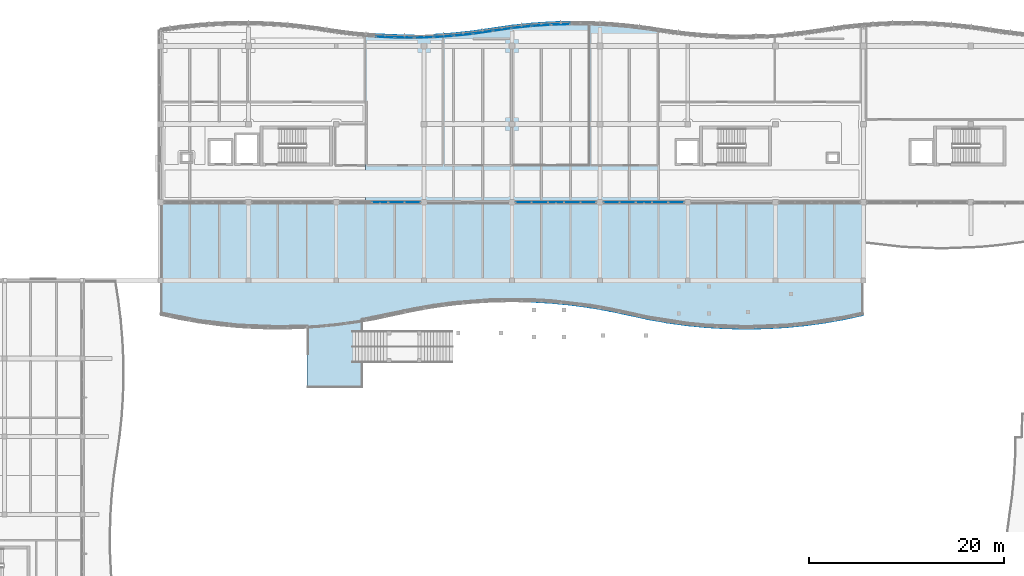
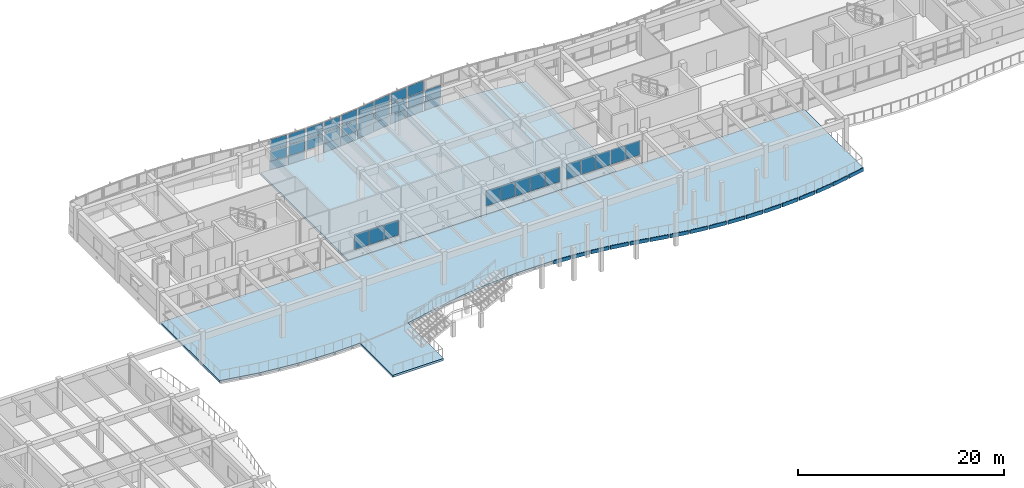
# One storey, part 49 of 89: 58 plates, 2 slabs, 13 elements without a shape of their own.
"""IFC4 building model written with IfcOpenShell, lengths in metres."""

import ifcopenshell
import ifcopenshell.guid

model = None  # the IFC model being written
_history = None  # IfcOwnerHistory: only IFC2X3 demands one
_inside = {}  # id of a spatial element -> (the spatial element, [elements in it])
_under = {}  # id of a project, library or spatial element -> (it, [spatial elements below it])
_declared = {}  # id of a project -> (the project, [libraries it declares])
_typed = {}  # id of a type object -> (the type object, [elements of that type])
_made_of = {}  # id of a material, layer set ... -> (it, [elements and type objects made of it])


def new_model(schema):
    """Start an empty IFC model of exactly this schema.

    Asked for "IFC4X3", IfcOpenShell would pick the latest addendum, in which some entities
    have other attributes; the version numbers below select the first issue.
    IFC2X3 requires an IfcOwnerHistory on every rooted entity: one is made here for all.
    """
    global model, _history
    if schema == "IFC4X3":
        model = ifcopenshell.file(schema_version=(4, 3, 0, 0))
    else:
        model = ifcopenshell.file(schema=schema)
    _inside.clear()
    _under.clear()
    _declared.clear()
    _typed.clear()
    _made_of.clear()
    _history = None
    if model.schema == "IFC2X3":
        org = make("IfcOrganization", Name="unknown")
        user = make(
            "IfcPersonAndOrganization",
            ThePerson=make("IfcPerson", FamilyName="unknown"),
            TheOrganization=org,
        )
        app = make(
            "IfcApplication",
            ApplicationDeveloper=org,
            Version="unknown",
            ApplicationFullName="unknown",
            ApplicationIdentifier="unknown",
        )
        _history = make(
            "IfcOwnerHistory",
            OwningUser=user,
            OwningApplication=app,
            ChangeAction="ADDED",
            CreationDate=0,
        )
    return model


def make(cls, **values):
    """One entity of the class cls with the attributes given. An attribute that is None is left unset."""
    return model.create_entity(
        cls, **{name: value for name, value in values.items() if value is not None}
    )


def rooted(cls, **values):
    """An entity with a GlobalId (a new one), such as an element, a storey or a relation."""
    return make(cls, GlobalId=ifcopenshell.guid.new(), OwnerHistory=_history, **values)


def si_unit(unit_type, name, prefix=None):
    """IfcSIUnit, for example si_unit("LENGTHUNIT", "METRE", prefix="MILLI")."""
    return make("IfcSIUnit", UnitType=unit_type, Prefix=prefix, Name=name)


def assignment(units):
    """IfcUnitAssignment: the units of a project."""
    return None if units is None else make("IfcUnitAssignment", Units=units)


def point(xyz):
    """IfcCartesianPoint."""
    return None if xyz is None else make("IfcCartesianPoint", Coordinates=xyz)


def direction(xyz):
    """IfcDirection."""
    return None if xyz is None else make("IfcDirection", DirectionRatios=xyz)


def frame(location, z_axis=None, x_axis=None):
    """IfcAxis2Placement3D, a coordinate frame: its origin and axes. An axis left out is left unset."""
    return make(
        "IfcAxis2Placement3D",
        Location=point(location),
        Axis=direction(z_axis),
        RefDirection=direction(x_axis),
    )


def frame_2d(location, x_axis=None):
    """IfcAxis2Placement2D, a coordinate frame in the plane: its origin and x axis."""
    return make(
        "IfcAxis2Placement2D", Location=point(location), RefDirection=direction(x_axis)
    )


def origin():
    """The frame at (0, 0, 0) with its axes left unset."""
    return frame((0.0, 0.0, 0.0))


def origin_2d():
    """The frame at (0, 0) in the plane with its x axis left unset."""
    return frame_2d((0.0, 0.0))


def place(relative_to, where):
    """IfcLocalPlacement: puts the frame where relative to a parent placement (None: the world)."""
    return make(
        "IfcLocalPlacement", PlacementRelTo=relative_to, RelativePlacement=where
    )


def context(
    kind, dimensions, precision=None, world=None, true_north=None, identifier=None
):
    """IfcGeometricRepresentationContext, for example the 3D "Model" context."""
    return make(
        "IfcGeometricRepresentationContext",
        ContextIdentifier=identifier,
        ContextType=kind,
        CoordinateSpaceDimension=dimensions,
        Precision=precision,
        WorldCoordinateSystem=world,
        TrueNorth=true_north,
    )


def subcontext(parent, identifier, kind, view, scale=None):
    """IfcGeometricRepresentationSubContext, for example "Body" below "Model"."""
    return make(
        "IfcGeometricRepresentationSubContext",
        ContextIdentifier=identifier,
        ContextType=kind,
        ParentContext=parent,
        TargetScale=scale,
        TargetView=view,
    )


def project(units=None, contexts=None):
    """IfcProject with its units and contexts."""
    return rooted(
        "IfcProject",
        Name="project",
        RepresentationContexts=contexts,
        UnitsInContext=assignment(units),
    )


def spatial(cls, under=None, at=None, **own):
    """A site, building, storey or space (cls), placed at a placement, below another one or the project."""
    s = rooted(cls, ObjectPlacement=at, **own)
    if under is not None:
        _under.setdefault(under.id(), (under, []))[1].append(s)
    return s


def polyline(points):
    """IfcPolyline through the points."""
    return make("IfcPolyline", Points=[point(p) for p in points])


def profile(cls, at=None, kind="AREA", **sizes):
    """A parametric profile (cls). Its sizes go by their IFC names, for example OverallWidth=200.0."""
    return make(cls, ProfileType=kind, Position=at, **sizes)


def rectangle(**sizes):
    """IfcRectangleProfileDef."""
    return profile("IfcRectangleProfileDef", **sizes)


def outline(outer, holes=None, kind="AREA"):
    """IfcArbitraryClosedProfileDef: a profile drawn as a closed curve; with holes, ...WithVoids."""
    if holes is None:
        return make("IfcArbitraryClosedProfileDef", ProfileType=kind, OuterCurve=outer)
    return make(
        "IfcArbitraryProfileDefWithVoids",
        ProfileType=kind,
        OuterCurve=outer,
        InnerCurves=holes,
    )


def extrude(swept, where, along, depth):
    """IfcExtrudedAreaSolid: the profile swept, set in the frame where, extruded along a direction by depth."""
    return make(
        "IfcExtrudedAreaSolid",
        SweptArea=swept,
        Position=where,
        ExtrudedDirection=direction(along),
        Depth=depth,
    )


def shape(context_of_items, identifier, shape_type, items):
    """IfcShapeRepresentation: the items that make up one representation, for example the "Body"."""
    return make(
        "IfcShapeRepresentation",
        ContextOfItems=context_of_items,
        RepresentationIdentifier=identifier,
        RepresentationType=shape_type,
        Items=items,
    )


def material(Name=None, Category=None):
    """IfcMaterial."""
    return make("IfcMaterial", Name=Name, Category=Category)


def layer(
    of_material, thickness, ventilated=None, Name=None, Category=None, Priority=None
):
    """IfcMaterialLayer: one layer of a wall or slab, of a material (None: an air gap)."""
    return make(
        "IfcMaterialLayer",
        Material=of_material,
        LayerThickness=thickness,
        IsVentilated=ventilated,
        Name=Name,
        Category=Category,
        Priority=Priority,
    )


def layer_set(layers, Name=None):
    """IfcMaterialLayerSet."""
    return make("IfcMaterialLayerSet", MaterialLayers=layers, LayerSetName=Name)


def made_of(thing, what):
    """Note that an element or type object is made of a material, layer set ...; save() writes the relation."""
    if what is not None:
        _made_of.setdefault(what.id(), (what, []))[1].append(thing)
    return thing


def type_object(cls, material=None, **own):
    """A type object (cls), such as IfcWallType, which elements share."""
    return made_of(rooted(cls, **own), material)


def element(
    cls,
    number,
    at=None,
    inside=None,
    cuts=None,
    type_object=None,
    material=None,
    context=None,
    identifier="Body",
    shape_type=None,
    held_by="IfcProductDefinitionShape",
    body=None,
    shapes=None,
    **own,
):
    """One element of the class cls, such as IfcWall. Its Tag is "e" and its number.

    at: its placement. inside: the storey or other place that contains it. cuts: it is an
    opening in that element (IfcRelVoidsElement). A single representation is given by context,
    identifier, shape_type and body (its items); several are given by shapes. held_by: the class
    of the entity that holds the representations. save() writes the other relations.
    """
    e = rooted(cls, Tag="e%d" % number, ObjectPlacement=at, **own)
    if body is not None:
        shapes = [shape(context, identifier, shape_type, body)]
    if shapes is not None:
        e.Representation = make(held_by, Representations=shapes)
    if inside is not None:
        _inside.setdefault(inside.id(), (inside, []))[1].append(e)
    if cuts is not None:
        rooted(
            "IfcRelVoidsElement", RelatingBuildingElement=cuts, RelatedOpeningElement=e
        )
    if type_object is not None:
        _typed.setdefault(type_object.id(), (type_object, []))[1].append(e)
    return made_of(e, material)


def aggregate(whole, parts):
    """IfcRelAggregates: a whole, such as a stair, and the parts it consists of."""
    return rooted("IfcRelAggregates", RelatingObject=whole, RelatedObjects=parts)


def save(model, path):
    """Write the relations noted so far, then the file.

    IfcRelAggregates (storeys below a building ...), IfcRelContainedInSpatialStructure (elements
    in a storey), IfcRelDefinesByType, IfcRelAssociatesMaterial and IfcRelDeclares: one each for
    every whole, place, type object, material and project.
    """
    for whole, parts in _under.values():
        aggregate(whole, parts)
    for where, things in _inside.values():
        rooted(
            "IfcRelContainedInSpatialStructure",
            RelatedElements=things,
            RelatingStructure=where,
        )
    for kind, things in _typed.values():
        rooted("IfcRelDefinesByType", RelatedObjects=things, RelatingType=kind)
    for what, things in _made_of.values():
        rooted("IfcRelAssociatesMaterial", RelatedObjects=things, RelatingMaterial=what)
    for by, libraries in _declared.values():
        rooted("IfcRelDeclares", RelatingContext=by, RelatedDefinitions=libraries)
    model.write(path)


model = new_model("IFC4")

# Units and contexts
model_context = context("Model", 3, precision=1e-05, world=origin(), true_north=direction((0.0, 1.0)))
body_context = subcontext(model_context, "Body", "Model", "MODEL_VIEW")
ifc_project = project(units=[si_unit("LENGTHUNIT", "METRE"), si_unit("AREAUNIT", "SQUARE_METRE"), si_unit("VOLUMEUNIT", "CUBIC_METRE"), si_unit("PLANEANGLEUNIT", "RADIAN"), si_unit("MASSUNIT", "GRAM", prefix="KILO")], contexts=[model_context])

# Site, building, storey
site_placement = place(None, origin())
site = spatial("IfcSite", under=ifc_project, at=site_placement, CompositionType="ELEMENT")
building_placement = place(site_placement, origin())
building = spatial("IfcBuilding", under=site, at=building_placement, Name="Tonlespit Floodbar School", CompositionType="ELEMENT")
storey_placement = place(building_placement, frame((0.0, 0.0, 4.5)))
storey = spatial("IfcBuildingStorey", under=building, at=storey_placement, Name="L01", CompositionType="ELEMENT", Elevation=4.5)

# Curtain wall, plates
ifc_material_1 = material(Name="Anodised Aluminium", Category="aluminium")
ifc_layer_1 = layer(ifc_material_1, 0.159912109375)
ifc_layer_set_1 = layer_set([ifc_layer_1], Name="Anodised Aluminium")
curtain_wall_type_1 = type_object("IfcCurtainWallType", Name="CurtainWall_1900x2700", PredefinedType="NOTDEFINED", material=ifc_layer_set_1)
curtain_wall_1_placement = place(storey_placement, origin())
curtain_wall_1 = element("IfcCurtainWall", 1, at=curtain_wall_1_placement, inside=storey, type_object=curtain_wall_type_1, Name="L01 unitised curtain wall 0053", PredefinedType="NOTDEFINED")
ifc_material_2 = material(Name="Laminated Low-E Glass", Category="glass")
ifc_layer_2 = layer(ifc_material_2, 0.028076171875)
ifc_layer_set_2 = layer_set([ifc_layer_2], Name="Laminated Low-E Glass")
plate_type_1 = type_object("IfcPlateType", Name="CW_Panel_Glaz_28", PredefinedType="CURTAIN_PANEL", material=ifc_layer_set_2)
plate_1_placement = place(storey_placement, frame((71.0, 120.8818359375, 1.01513671875), z_axis=(0.0, 0.0, 1.0), x_axis=(0.999585477883, 0.028790144226, 0.0)))
plate_1 = element("IfcPlate", 2, at=plate_1_placement, type_object=plate_type_1, Name="CW-05 panel 1.1", PredefinedType="CURTAIN_PANEL", context=body_context, shape_type="SweptSolid", body=[
    extrude(rectangle(XDim=1.790771484375, YDim=0.028076171875, at=origin_2d()), origin(), (0.0, 0.0, 1.0), 1.306396484375),
])
plate_2_placement = place(storey_placement, frame((71.0, 120.8818359375, 2.38671875), z_axis=(0.0, 0.0, 1.0), x_axis=(0.999585477883, 0.028790144226, 0.0)))
plate_2 = element("IfcPlate", 3, at=plate_2_placement, type_object=plate_type_1, Name="CW-05 panel 1.2", PredefinedType="CURTAIN_PANEL", context=body_context, shape_type="SweptSolid", body=[
    extrude(rectangle(XDim=1.790771484375, YDim=0.028076171875, at=origin_2d()), origin(), (0.0, 0.0, 1.0), 1.198486328125),
])
aggregate(curtain_wall_1, [plate_1, plate_2])

ifc_layer_3 = layer(ifc_material_1, 0.159912109375)
ifc_layer_set_3 = layer_set([ifc_layer_3], Name="Anodised Aluminium")
curtain_wall_type_2 = type_object("IfcCurtainWallType", Name="CurtainWall_1950x2700", PredefinedType="NOTDEFINED", material=ifc_layer_set_3)
curtain_wall_2_placement = place(storey_placement, origin())
curtain_wall_2 = element("IfcCurtainWall", 4, at=curtain_wall_2_placement, inside=storey, type_object=curtain_wall_type_2, Name="L01 unitised curtain wall 0057", PredefinedType="NOTDEFINED")
plate_3_placement = place(storey_placement, frame((79.0, 121.69580078125, 1.01513671875), z_axis=(0.0, 0.0, 1.0), x_axis=(0.989541561858, 0.144248041079, 0.0)))
plate_3 = element("IfcPlate", 5, at=plate_3_placement, type_object=plate_type_1, Name="CW-04 panel 1.1", PredefinedType="CURTAIN_PANEL", context=body_context, shape_type="SweptSolid", body=[
    extrude(rectangle(XDim=1.81103515625, YDim=0.028076171875, at=origin_2d()), origin(), (0.0, 0.0, 1.0), 1.306396484375),
])
plate_4_placement = place(storey_placement, frame((79.0, 121.69580078125, 2.38671875), z_axis=(0.0, 0.0, 1.0), x_axis=(0.989541561858, 0.144248041079, 0.0)))
plate_4 = element("IfcPlate", 6, at=plate_4_placement, type_object=plate_type_1, Name="CW-04 panel 1.2", PredefinedType="CURTAIN_PANEL", context=body_context, shape_type="SweptSolid", body=[
    extrude(rectangle(XDim=1.81103515625, YDim=0.028076171875, at=origin_2d()), origin(), (0.0, 0.0, 1.0), 1.198486328125),
])
aggregate(curtain_wall_2, [plate_3, plate_4])

ifc_layer_4 = layer(ifc_material_1, 0.159912109375)
ifc_layer_set_4 = layer_set([ifc_layer_4], Name="Anodised Aluminium")
curtain_wall_type_3 = type_object("IfcCurtainWallType", Name="CurtainWall_8300x1900", PredefinedType="NOTDEFINED", material=ifc_layer_set_4)
curtain_wall_3_placement = place(storey_placement, origin())
curtain_wall_3 = element("IfcCurtainWall", 7, at=curtain_wall_3_placement, inside=storey, type_object=curtain_wall_type_3, Name="L01 unitised curtain wall 0077", PredefinedType="NOTDEFINED")
plate_5_placement = place(storey_placement, frame((96.811767578125, 104.0, 1.01513671875), z_axis=(0.0, 0.0, 1.0), x_axis=(-1.0, 0.0, 0.0)))
plate_5 = element("IfcPlate", 8, at=plate_5_placement, type_object=plate_type_1, Name="CW-06 panel 1.1", PredefinedType="CURTAIN_PANEL", context=body_context, shape_type="SweptSolid", body=[
    extrude(rectangle(XDim=1.56640625, YDim=0.028076171875, at=origin_2d()), origin(), (0.0, 0.0, 1.0), 1.764892578125),
])
plate_6_placement = place(storey_placement, frame((95.1640625, 104.0, 1.01513671875), z_axis=(0.0, 0.0, 1.0), x_axis=(-1.0, 0.0, 0.0)))
plate_6 = element("IfcPlate", 9, at=plate_6_placement, type_object=plate_type_1, Name="CW-06 panel 2.1", PredefinedType="CURTAIN_PANEL", context=body_context, shape_type="SweptSolid", body=[
    extrude(rectangle(XDim=1.59912109375, YDim=0.028076171875, at=origin_2d()), origin(), (0.0, 0.0, 1.0), 1.764892578125),
])
plate_7_placement = place(storey_placement, frame((93.5, 104.0, 1.01513671875), z_axis=(0.0, 0.0, 1.0), x_axis=(-1.0, 0.0, 0.0)))
plate_7 = element("IfcPlate", 10, at=plate_7_placement, type_object=plate_type_1, Name="CW-06 panel 3.1", PredefinedType="CURTAIN_PANEL", context=body_context, shape_type="SweptSolid", body=[
    extrude(rectangle(XDim=1.59912109375, YDim=0.028076171875, at=origin_2d()), origin(), (0.0, 0.0, 1.0), 1.764892578125),
])
plate_8_placement = place(storey_placement, frame((91.8359375, 104.0, 1.01513671875), z_axis=(0.0, 0.0, 1.0), x_axis=(-1.0, 0.0, 0.0)))
plate_8 = element("IfcPlate", 11, at=plate_8_placement, type_object=plate_type_1, Name="CW-06 panel 4.1", PredefinedType="CURTAIN_PANEL", context=body_context, shape_type="SweptSolid", body=[
    extrude(rectangle(XDim=1.59912109375, YDim=0.028076171875, at=origin_2d()), origin(), (0.0, 0.0, 1.0), 1.764892578125),
])
plate_9_placement = place(storey_placement, frame((90.188232421875, 104.0, 1.01513671875), z_axis=(0.0, 0.0, 1.0), x_axis=(-1.0, 0.0, 0.0)))
plate_9 = element("IfcPlate", 12, at=plate_9_placement, type_object=plate_type_1, Name="CW-06 panel 5.1", PredefinedType="CURTAIN_PANEL", context=body_context, shape_type="SweptSolid", body=[
    extrude(rectangle(XDim=1.56640625, YDim=0.028076171875, at=origin_2d()), origin(), (0.0, 0.0, 1.0), 1.764892578125),
])
aggregate(curtain_wall_3, [plate_5, plate_6, plate_7, plate_8, plate_9])

curtain_wall_4_placement = place(storey_placement, origin())
curtain_wall_4 = element("IfcCurtainWall", 13, at=curtain_wall_4_placement, inside=storey, type_object=curtain_wall_type_1, Name="L01 unitised curtain wall 0054", PredefinedType="NOTDEFINED")
ifc_layer_5 = layer(ifc_material_2, 0.031982421875)
ifc_layer_set_5 = layer_set([ifc_layer_5], Name="Laminated Low-E Glass")
plate_type_2 = type_object("IfcPlateType", Name="CW_Panel_Glaz_32", PredefinedType="CURTAIN_PANEL", material=ifc_layer_set_5)
plate_10_placement = place(storey_placement, frame((73.0, 120.978271484375, 1.01513671875), z_axis=(0.0, 0.0, 1.0), x_axis=(0.99773010165, 0.067339767311, 0.0)))
plate_10 = element("IfcPlate", 14, at=plate_10_placement, type_object=plate_type_2, Name="CW-05 panel 1.1", PredefinedType="CURTAIN_PANEL", context=body_context, shape_type="SweptSolid", body=[
    extrude(rectangle(XDim=1.794677734375, YDim=0.031982421875, at=origin_2d()), origin(), (0.0, 0.0, 1.0), 1.306396484375),
])
plate_11_placement = place(storey_placement, frame((73.0, 120.978271484375, 2.38671875), z_axis=(0.0, 0.0, 1.0), x_axis=(0.99773010165, 0.067339767311, 0.0)))
plate_11 = element("IfcPlate", 15, at=plate_11_placement, type_object=plate_type_2, Name="CW-05 panel 1.2", PredefinedType="CURTAIN_PANEL", context=body_context, shape_type="SweptSolid", body=[
    extrude(rectangle(XDim=1.794677734375, YDim=0.031982421875, at=origin_2d()), origin(), (0.0, 0.0, 1.0), 1.198486328125),
])
aggregate(curtain_wall_4, [plate_10, plate_11])

curtain_wall_5_placement = place(storey_placement, origin())
curtain_wall_5 = element("IfcCurtainWall", 16, at=curtain_wall_5_placement, inside=storey, type_object=curtain_wall_type_2, Name="L01 unitised curtain wall 0058", PredefinedType="NOTDEFINED")
plate_12_placement = place(storey_placement, frame((81.0, 121.947998046875, 1.01513671875), z_axis=(0.0, 0.0, 1.0), x_axis=(0.994388797288, 0.105787143968, 0.0)))
plate_12 = element("IfcPlate", 17, at=plate_12_placement, type_object=plate_type_2, Name="CW-04 panel 1.1", PredefinedType="CURTAIN_PANEL", context=body_context, shape_type="SweptSolid", body=[
    extrude(rectangle(XDim=1.80126953125, YDim=0.031982421875, at=origin_2d()), origin(), (0.0, 0.0, 1.0), 1.306396484375),
])
plate_13_placement = place(storey_placement, frame((81.0, 121.947998046875, 2.38671875), z_axis=(0.0, 0.0, 1.0), x_axis=(0.994388797288, 0.105787143968, 0.0)))
plate_13 = element("IfcPlate", 18, at=plate_13_placement, type_object=plate_type_2, Name="CW-04 panel 1.2", PredefinedType="CURTAIN_PANEL", context=body_context, shape_type="SweptSolid", body=[
    extrude(rectangle(XDim=1.80126953125, YDim=0.031982421875, at=origin_2d()), origin(), (0.0, 0.0, 1.0), 1.198486328125),
])
aggregate(curtain_wall_5, [plate_12, plate_13])

curtain_wall_6_placement = place(storey_placement, origin())
curtain_wall_6 = element("IfcCurtainWall", 19, at=curtain_wall_6_placement, inside=storey, type_object=curtain_wall_type_3, Name="L01 unitised curtain wall 0078", PredefinedType="NOTDEFINED")
plate_14_placement = place(storey_placement, frame((87.811767578125, 104.0, 1.01513671875), z_axis=(0.0, 0.0, 1.0), x_axis=(-1.0, 0.0, 0.0)))
plate_14 = element("IfcPlate", 20, at=plate_14_placement, type_object=plate_type_2, Name="CW-06 panel 1.1", PredefinedType="CURTAIN_PANEL", context=body_context, shape_type="SweptSolid", body=[
    extrude(rectangle(XDim=1.56640625, YDim=0.031982421875, at=origin_2d()), origin(), (0.0, 0.0, 1.0), 1.764892578125),
])
plate_15_placement = place(storey_placement, frame((86.1640625, 104.0, 1.01513671875), z_axis=(0.0, 0.0, 1.0), x_axis=(-1.0, 0.0, 0.0)))
plate_15 = element("IfcPlate", 21, at=plate_15_placement, type_object=plate_type_2, Name="CW-06 panel 2.1", PredefinedType="CURTAIN_PANEL", context=body_context, shape_type="SweptSolid", body=[
    extrude(rectangle(XDim=1.59912109375, YDim=0.031982421875, at=origin_2d()), origin(), (0.0, 0.0, 1.0), 1.764892578125),
])
plate_16_placement = place(storey_placement, frame((84.5, 104.0, 1.01513671875), z_axis=(0.0, 0.0, 1.0), x_axis=(-1.0, 0.0, 0.0)))
plate_16 = element("IfcPlate", 22, at=plate_16_placement, type_object=plate_type_2, Name="CW-06 panel 3.1", PredefinedType="CURTAIN_PANEL", context=body_context, shape_type="SweptSolid", body=[
    extrude(rectangle(XDim=1.59912109375, YDim=0.031982421875, at=origin_2d()), origin(), (0.0, 0.0, 1.0), 1.764892578125),
])
plate_17_placement = place(storey_placement, frame((82.8359375, 104.0, 1.01513671875), z_axis=(0.0, 0.0, 1.0), x_axis=(-1.0, 0.0, 0.0)))
plate_17 = element("IfcPlate", 23, at=plate_17_placement, type_object=plate_type_2, Name="CW-06 panel 4.1", PredefinedType="CURTAIN_PANEL", context=body_context, shape_type="SweptSolid", body=[
    extrude(rectangle(XDim=1.59912109375, YDim=0.031982421875, at=origin_2d()), origin(), (0.0, 0.0, 1.0), 1.764892578125),
])
plate_18_placement = place(storey_placement, frame((81.188232421875, 104.0, 1.01513671875), z_axis=(0.0, 0.0, 1.0), x_axis=(-1.0, 0.0, 0.0)))
plate_18 = element("IfcPlate", 24, at=plate_18_placement, type_object=plate_type_2, Name="CW-06 panel 5.1", PredefinedType="CURTAIN_PANEL", context=body_context, shape_type="SweptSolid", body=[
    extrude(rectangle(XDim=1.56640625, YDim=0.031982421875, at=origin_2d()), origin(), (0.0, 0.0, 1.0), 1.764892578125),
])
aggregate(curtain_wall_6, [plate_14, plate_15, plate_16, plate_17, plate_18])

curtain_wall_7_placement = place(storey_placement, origin())
curtain_wall_7 = element("IfcCurtainWall", 25, at=curtain_wall_7_placement, inside=storey, type_object=curtain_wall_type_1, Name="L01 unitised curtain wall 0051", PredefinedType="NOTDEFINED")
ifc_layer_6 = layer(ifc_material_2, 0.035888671875)
ifc_layer_set_6 = layer_set([ifc_layer_6], Name="Laminated Low-E Glass")
plate_type_3 = type_object("IfcPlateType", Name="CW_Panel_Glaz_36", PredefinedType="CURTAIN_PANEL", material=ifc_layer_set_6)
plate_19_placement = place(storey_placement, frame((67.0, 120.92041015625, 1.01513671875), z_axis=(0.0, 0.0, 1.0), x_axis=(0.998841500616, -0.048121270216, 0.0)))
plate_19 = element("IfcPlate", 26, at=plate_19_placement, type_object=plate_type_3, Name="CW-05 panel 1.1", PredefinedType="CURTAIN_PANEL", context=body_context, shape_type="SweptSolid", body=[
    extrude(rectangle(XDim=1.792236328125, YDim=0.035888671875, at=origin_2d()), origin(), (0.0, 0.0, 1.0), 1.306396484375),
])
plate_20_placement = place(storey_placement, frame((67.0, 120.92041015625, 2.38671875), z_axis=(0.0, 0.0, 1.0), x_axis=(0.998841500616, -0.048121270216, 0.0)))
plate_20 = element("IfcPlate", 27, at=plate_20_placement, type_object=plate_type_3, Name="CW-05 panel 1.2", PredefinedType="CURTAIN_PANEL", context=body_context, shape_type="SweptSolid", body=[
    extrude(rectangle(XDim=1.792236328125, YDim=0.035888671875, at=origin_2d()), origin(), (0.0, 0.0, 1.0), 1.198486328125),
])
aggregate(curtain_wall_7, [plate_19, plate_20])

curtain_wall_8_placement = place(storey_placement, origin())
curtain_wall_8 = element("IfcCurtainWall", 28, at=curtain_wall_8_placement, inside=storey, type_object=curtain_wall_type_2, Name="L01 unitised curtain wall 0055", PredefinedType="NOTDEFINED")
plate_21_placement = place(storey_placement, frame((75.0, 121.152099609375, 1.01513671875), z_axis=(0.0, 0.0, 1.0), x_axis=(0.994388797288, 0.105787143968, 0.0)))
plate_21 = element("IfcPlate", 29, at=plate_21_placement, type_object=plate_type_3, Name="CW-04 panel 1.1", PredefinedType="CURTAIN_PANEL", context=body_context, shape_type="SweptSolid", body=[
    extrude(rectangle(XDim=1.80126953125, YDim=0.035888671875, at=origin_2d()), origin(), (0.0, 0.0, 1.0), 1.306396484375),
])
plate_22_placement = place(storey_placement, frame((75.0, 121.152099609375, 2.38671875), z_axis=(0.0, 0.0, 1.0), x_axis=(0.994388797288, 0.105787143968, 0.0)))
plate_22 = element("IfcPlate", 30, at=plate_22_placement, type_object=plate_type_3, Name="CW-04 panel 1.2", PredefinedType="CURTAIN_PANEL", context=body_context, shape_type="SweptSolid", body=[
    extrude(rectangle(XDim=1.80126953125, YDim=0.035888671875, at=origin_2d()), origin(), (0.0, 0.0, 1.0), 1.198486328125),
])
aggregate(curtain_wall_8, [plate_21, plate_22])

curtain_wall_9_placement = place(storey_placement, origin())
curtain_wall_9 = element("IfcCurtainWall", 31, at=curtain_wall_9_placement, inside=storey, type_object=curtain_wall_type_1, Name="L01 unitised curtain wall 0059", PredefinedType="NOTDEFINED")
plate_23_placement = place(storey_placement, frame((83.0, 122.121826171875, 1.01513671875), z_axis=(0.0, 0.0, 1.0), x_axis=(0.99773010165, 0.067339767311, 0.0)))
plate_23 = element("IfcPlate", 32, at=plate_23_placement, type_object=plate_type_3, Name="CW-05 panel 1.1", PredefinedType="CURTAIN_PANEL", context=body_context, shape_type="SweptSolid", body=[
    extrude(rectangle(XDim=1.794677734375, YDim=0.035888671875, at=origin_2d()), origin(), (0.0, 0.0, 1.0), 1.306396484375),
])
plate_24_placement = place(storey_placement, frame((83.0, 122.121826171875, 2.38671875), z_axis=(0.0, 0.0, 1.0), x_axis=(0.99773010165, 0.067339767311, 0.0)))
plate_24 = element("IfcPlate", 33, at=plate_24_placement, type_object=plate_type_3, Name="CW-05 panel 1.2", PredefinedType="CURTAIN_PANEL", context=body_context, shape_type="SweptSolid", body=[
    extrude(rectangle(XDim=1.794677734375, YDim=0.035888671875, at=origin_2d()), origin(), (0.0, 0.0, 1.0), 1.198486328125),
])
aggregate(curtain_wall_9, [plate_23, plate_24])

curtain_wall_10_placement = place(storey_placement, origin())
curtain_wall_10 = element("IfcCurtainWall", 34, at=curtain_wall_10_placement, inside=storey, type_object=curtain_wall_type_3, Name="L01 unitised curtain wall 0079", PredefinedType="NOTDEFINED")
plate_25_placement = place(storey_placement, frame((69.811767578125, 104.0, 1.01513671875), z_axis=(0.0, 0.0, 1.0), x_axis=(-1.0, 0.0, 0.0)))
plate_25 = element("IfcPlate", 35, at=plate_25_placement, type_object=plate_type_3, Name="CW-06 panel 1.1", PredefinedType="CURTAIN_PANEL", context=body_context, shape_type="SweptSolid", body=[
    extrude(rectangle(XDim=1.56640625, YDim=0.035888671875, at=origin_2d()), origin(), (0.0, 0.0, 1.0), 1.764892578125),
])
plate_26_placement = place(storey_placement, frame((68.1640625, 104.0, 1.01513671875), z_axis=(0.0, 0.0, 1.0), x_axis=(-1.0, 0.0, 0.0)))
plate_26 = element("IfcPlate", 36, at=plate_26_placement, type_object=plate_type_3, Name="CW-06 panel 2.1", PredefinedType="CURTAIN_PANEL", context=body_context, shape_type="SweptSolid", body=[
    extrude(rectangle(XDim=1.59912109375, YDim=0.035888671875, at=origin_2d()), origin(), (0.0, 0.0, 1.0), 1.764892578125),
])
plate_27_placement = place(storey_placement, frame((66.5, 104.0, 1.01513671875), z_axis=(0.0, 0.0, 1.0), x_axis=(-1.0, 0.0, 0.0)))
plate_27 = element("IfcPlate", 37, at=plate_27_placement, type_object=plate_type_3, Name="CW-06 panel 3.1", PredefinedType="CURTAIN_PANEL", context=body_context, shape_type="SweptSolid", body=[
    extrude(rectangle(XDim=1.59912109375, YDim=0.035888671875, at=origin_2d()), origin(), (0.0, 0.0, 1.0), 1.764892578125),
])
aggregate(curtain_wall_10, [plate_25, plate_26, plate_27])

curtain_wall_11_placement = place(storey_placement, origin())
curtain_wall_11 = element("IfcCurtainWall", 38, at=curtain_wall_11_placement, inside=storey, type_object=curtain_wall_type_1, Name="L01 unitised curtain wall 0052", PredefinedType="NOTDEFINED")
ifc_layer_7 = layer(ifc_material_2, 0.0419921875)
ifc_layer_set_7 = layer_set([ifc_layer_7], Name="Laminated Low-E Glass")
plate_type_4 = type_object("IfcPlateType", Name="CW_Panel_Glaz_42", PredefinedType="CURTAIN_PANEL", material=ifc_layer_set_7)
plate_28_placement = place(storey_placement, frame((69.0, 120.862548828125, 1.01513671875), z_axis=(0.0, 0.0, 1.0), x_axis=(0.999954083024, -0.009582893292, 0.0)))
plate_28 = element("IfcPlate", 39, at=plate_28_placement, type_object=plate_type_4, Name="CW-05 panel 1.1", PredefinedType="CURTAIN_PANEL", context=body_context, shape_type="SweptSolid", body=[
    extrude(rectangle(XDim=1.7900390625, YDim=0.0419921875, at=origin_2d()), origin(), (0.0, 0.0, 1.0), 1.306396484375),
])
plate_29_placement = place(storey_placement, frame((69.0, 120.862548828125, 2.38671875), z_axis=(0.0, 0.0, 1.0), x_axis=(0.999954083024, -0.009582893292, 0.0)))
plate_29 = element("IfcPlate", 40, at=plate_29_placement, type_object=plate_type_4, Name="CW-05 panel 1.2", PredefinedType="CURTAIN_PANEL", context=body_context, shape_type="SweptSolid", body=[
    extrude(rectangle(XDim=1.7900390625, YDim=0.0419921875, at=origin_2d()), origin(), (0.0, 0.0, 1.0), 1.198486328125),
])
aggregate(curtain_wall_11, [plate_28, plate_29])

curtain_wall_12_placement = place(storey_placement, origin())
curtain_wall_12 = element("IfcCurtainWall", 41, at=curtain_wall_12_placement, inside=storey, type_object=curtain_wall_type_2, Name="L01 unitised curtain wall 0056", PredefinedType="NOTDEFINED")
plate_30_placement = place(storey_placement, frame((77.0, 121.404296875, 1.01513671875), z_axis=(0.0, 0.0, 1.0), x_axis=(0.989541561858, 0.144248041079, 0.0)))
plate_30 = element("IfcPlate", 42, at=plate_30_placement, type_object=plate_type_4, Name="CW-04 panel 1.1", PredefinedType="CURTAIN_PANEL", context=body_context, shape_type="SweptSolid", body=[
    extrude(rectangle(XDim=1.81103515625, YDim=0.0419921875, at=origin_2d()), origin(), (0.0, 0.0, 1.0), 1.306396484375),
])
plate_31_placement = place(storey_placement, frame((77.0, 121.404296875, 2.38671875), z_axis=(0.0, 0.0, 1.0), x_axis=(0.989541561858, 0.144248041079, 0.0)))
plate_31 = element("IfcPlate", 43, at=plate_31_placement, type_object=plate_type_4, Name="CW-04 panel 1.2", PredefinedType="CURTAIN_PANEL", context=body_context, shape_type="SweptSolid", body=[
    extrude(rectangle(XDim=1.81103515625, YDim=0.0419921875, at=origin_2d()), origin(), (0.0, 0.0, 1.0), 1.198486328125),
])
aggregate(curtain_wall_12, [plate_30, plate_31])

# Curtain wall, plate
curtain_wall_13_placement = place(storey_placement, origin())
curtain_wall_13 = element("IfcCurtainWall", 44, at=curtain_wall_13_placement, inside=storey, type_object=curtain_wall_type_1, Name="L01 unitised curtain wall 0060", PredefinedType="NOTDEFINED")
plate_32_placement = place(storey_placement, frame((85.0, 122.21826171875, 1.01513671875), z_axis=(0.0, 0.0, 1.0), x_axis=(0.999585477883, 0.028790144226, 0.0)))
plate_32 = element("IfcPlate", 45, at=plate_32_placement, type_object=plate_type_4, Name="CW-05 panel 1.1", PredefinedType="CURTAIN_PANEL", context=body_context, shape_type="SweptSolid", body=[
    extrude(rectangle(XDim=1.790771484375, YDim=0.0419921875, at=origin_2d()), origin(), (0.0, 0.0, 1.0), 1.306396484375),
])
aggregate(curtain_wall_13, [plate_32])

# Plates
ifc_material_3 = material(Name="White Architectural Aluminium", Category="aluminium")
ifc_layer_8 = layer(ifc_material_3, 0.06494140625)
ifc_layer_set_8 = layer_set([ifc_layer_8], Name="White Architectural Aluminium")
plate_type_5 = type_object("IfcPlateType", Name="FacadeRibbon_White_65", PredefinedType="SHEET", material=ifc_layer_set_8)
plate_33_placement = place(storey_placement, frame((67.0087890625, 121.10205078125, -0.1201171875), z_axis=(0.0, 0.0, 1.0), x_axis=(0.998842769234, -0.048094930587, 0.0)))
element("IfcPlate", 46, at=plate_33_placement, inside=storey, type_object=plate_type_5, Name="L01 flowing white street spandrel ribbon 0059", PredefinedType="SHEET", context=body_context, shape_type="SweptSolid", body=[
    extrude(rectangle(XDim=1.84228515625, YDim=0.06494140625, at=origin_2d()), origin(), (0.0, 0.0, 1.0), 1.070068359375),
])
plate_34_placement = place(storey_placement, frame((69.001708984375, 121.044677734375, -0.1201171875), z_axis=(0.0, 0.0, 1.0), x_axis=(0.999953926969, -0.009599163462, 0.0)))
element("IfcPlate", 47, at=plate_34_placement, inside=storey, type_object=plate_type_5, Name="L01 flowing white street spandrel ribbon 0060", PredefinedType="SHEET", context=body_context, shape_type="SweptSolid", body=[
    extrude(rectangle(XDim=1.840087890625, YDim=0.06494140625, at=origin_2d()), origin(), (0.0, 0.0, 1.0), 1.070068359375),
])
plate_35_placement = place(storey_placement, frame((72.98779296875, 121.159912109375, -0.1201171875), z_axis=(0.0, 0.0, 1.0), x_axis=(0.997729639049, 0.067346621018, 0.0)))
element("IfcPlate", 48, at=plate_35_placement, inside=storey, type_object=plate_type_5, Name="L01 flowing white street spandrel ribbon 0062", PredefinedType="SHEET", context=body_context, shape_type="SweptSolid", body=[
    extrude(rectangle(XDim=1.844482421875, YDim=0.06494140625, at=origin_2d()), origin(), (0.0, 0.0, 1.0), 1.070068359375),
])
plate_36_placement = place(storey_placement, frame((74.980712890625, 121.3330078125, -0.1201171875), z_axis=(0.0, 0.0, 1.0), x_axis=(0.99439234017, 0.105753835922, 0.0)))
element("IfcPlate", 49, at=plate_36_placement, inside=storey, type_object=plate_type_5, Name="L01 flowing white street spandrel ribbon 0063", PredefinedType="SHEET", context=body_context, shape_type="SweptSolid", body=[
    extrude(rectangle(XDim=1.851318359375, YDim=0.06494140625, at=origin_2d()), origin(), (0.0, 0.0, 1.0), 1.070068359375),
])
for number, where, z_axis, x_axis, name in (
    (50, (76.9736328125, 121.584228515625, -0.1201171875), (0.0, 0.0, 1.0), (0.989537627347, 0.144275029245, 0.0), "L01 flowing white street spandrel ribbon 0064"),
    (51, (78.9736328125, 121.8759765625, -0.1201171875), (0.0, 0.0, 1.0), (0.989537627347, 0.144275029245, 0.0), "L01 flowing white street spandrel ribbon 0065"),
):
    element("IfcPlate", number, at=place(storey_placement, frame(where, z_axis=z_axis, x_axis=x_axis)), inside=storey, type_object=plate_type_5, Name=name, PredefinedType="SHEET", context=body_context, shape_type="SweptSolid", body=[
        extrude(rectangle(XDim=1.861083984375, YDim=0.06494140625, at=origin_2d()), origin(), (0.0, 0.0, 1.0), 1.070068359375),
    ])
plate_37_placement = place(storey_placement, frame((80.980712890625, 122.12890625, -0.1201171875), z_axis=(0.0, 0.0, 1.0), x_axis=(0.99439234017, 0.105753835922, 0.0)))
element("IfcPlate", 52, at=plate_37_placement, inside=storey, type_object=plate_type_5, Name="L01 flowing white street spandrel ribbon 0066", PredefinedType="SHEET", context=body_context, shape_type="SweptSolid", body=[
    extrude(rectangle(XDim=1.851318359375, YDim=0.06494140625, at=origin_2d()), origin(), (0.0, 0.0, 1.0), 1.070068359375),
])
plate_38_placement = place(storey_placement, frame((82.98779296875, 122.303466796875, -0.1201171875), z_axis=(0.0, 0.0, 1.0), x_axis=(0.997729639049, 0.067346621018, 0.0)))
element("IfcPlate", 53, at=plate_38_placement, inside=storey, type_object=plate_type_5, Name="L01 flowing white street spandrel ribbon 0067", PredefinedType="SHEET", context=body_context, shape_type="SweptSolid", body=[
    extrude(rectangle(XDim=1.844482421875, YDim=0.06494140625, at=origin_2d()), origin(), (0.0, 0.0, 1.0), 1.070068359375),
])
plate_39_placement = place(storey_placement, frame((84.994873046875, 122.400146484375, -0.1201171875), z_axis=(0.0, 0.0, 1.0), x_axis=(0.999584110869, 0.02883756748, 0.0)))
element("IfcPlate", 54, at=plate_39_placement, inside=storey, type_object=plate_type_5, Name="L01 flowing white street spandrel ribbon 0068", PredefinedType="SHEET", context=body_context, shape_type="SweptSolid", body=[
    extrude(rectangle(XDim=1.8408203125, YDim=0.06494140625, at=origin_2d()), origin(), (0.0, 0.0, 1.0), 1.070068359375),
])
plate_40_placement = place(storey_placement, frame((83.0, 93.785400390625, -0.300048828125), z_axis=(0.0, 0.0, 1.0), x_axis=(0.998333769428, -0.057703421212, 0.0)))
element("IfcPlate", 55, at=plate_40_placement, inside=storey, type_object=plate_type_5, Name="L01 flowing white street spandrel ribbon 0114", PredefinedType="SHEET", context=body_context, shape_type="SweptSolid", body=[
    extrude(rectangle(XDim=1.84326171875, YDim=0.06494140625, at=origin_2d()), origin(), (0.0, 0.0, 1.0), 0.419921875),
])
plate_41_placement = place(storey_placement, frame((85.0, 93.630859375, -0.300048828125), z_axis=(0.0, 0.0, 1.0), x_axis=(0.995361841764, -0.096201891669, 0.0)))
element("IfcPlate", 56, at=plate_41_placement, inside=storey, type_object=plate_type_5, Name="L01 flowing white street spandrel ribbon 0115", PredefinedType="SHEET", context=body_context, shape_type="SweptSolid", body=[
    extrude(rectangle(XDim=1.849365234375, YDim=0.06494140625, at=origin_2d()), origin(), (0.0, 0.0, 1.0), 0.419921875),
])
plate_42_placement = place(storey_placement, frame((87.0, 93.3984375, -0.300048828125), z_axis=(0.0, 0.0, 1.0), x_axis=(0.990898113281, -0.13461400037, 0.0)))
element("IfcPlate", 57, at=plate_42_placement, inside=storey, type_object=plate_type_5, Name="L01 flowing white street spandrel ribbon 0116", PredefinedType="SHEET", context=body_context, shape_type="SweptSolid", body=[
    extrude(rectangle(XDim=1.8583984375, YDim=0.06494140625, at=origin_2d()), origin(), (0.0, 0.0, 1.0), 0.419921875),
])
plate_43_placement = place(storey_placement, frame((89.0, 93.0869140625, -0.300048828125), z_axis=(0.0, 0.0, 1.0), x_axis=(0.984904884962, -0.17309641122, 0.0)))
element("IfcPlate", 58, at=plate_43_placement, inside=storey, type_object=plate_type_5, Name="L01 flowing white street spandrel ribbon 0117", PredefinedType="SHEET", context=body_context, shape_type="SweptSolid", body=[
    extrude(rectangle(XDim=1.87060546875, YDim=0.06494140625, at=origin_2d()), origin(), (0.0, 0.0, 1.0), 0.419921875),
])
for number, where, z_axis, x_axis, name in (
    (59, (91.0, 92.694580078125, -0.300048828125), (0.0, 0.0, 1.0), (0.977356843161, -0.21159773422, 0.0), "L01 flowing white street spandrel ribbon 0118"),
    (60, (93.0, 92.261474609375, -0.300048828125), (0.0, 0.0, 1.0), (0.977356843161, -0.21159773422, 0.0), "L01 flowing white street spandrel ribbon 0119"),
):
    element("IfcPlate", number, at=place(storey_placement, frame(where, z_axis=z_axis, x_axis=x_axis)), inside=storey, type_object=plate_type_5, Name=name, PredefinedType="SHEET", context=body_context, shape_type="SweptSolid", body=[
        extrude(rectangle(XDim=1.88623046875, YDim=0.06494140625, at=origin_2d()), origin(), (0.0, 0.0, 1.0), 0.419921875),
    ])
plate_44_placement = place(storey_placement, frame((95.0, 91.869384765625, -0.300048828125), z_axis=(0.0, 0.0, 1.0), x_axis=(0.984904884962, -0.17309641122, 0.0)))
element("IfcPlate", 61, at=plate_44_placement, inside=storey, type_object=plate_type_5, Name="L01 flowing white street spandrel ribbon 0120", PredefinedType="SHEET", context=body_context, shape_type="SweptSolid", body=[
    extrude(rectangle(XDim=1.87060546875, YDim=0.06494140625, at=origin_2d()), origin(), (0.0, 0.0, 1.0), 0.419921875),
])
plate_45_placement = place(storey_placement, frame((97.0, 91.5576171875, -0.300048828125), z_axis=(0.0, 0.0, 1.0), x_axis=(0.990898113281, -0.13461400037, 0.0)))
element("IfcPlate", 62, at=plate_45_placement, inside=storey, type_object=plate_type_5, Name="L01 flowing white street spandrel ribbon 0121", PredefinedType="SHEET", context=body_context, shape_type="SweptSolid", body=[
    extrude(rectangle(XDim=1.8583984375, YDim=0.06494140625, at=origin_2d()), origin(), (0.0, 0.0, 1.0), 0.419921875),
])
plate_46_placement = place(storey_placement, frame((99.0, 91.3251953125, -0.300048828125), z_axis=(0.0, 0.0, 1.0), x_axis=(0.995361841764, -0.096201891669, 0.0)))
element("IfcPlate", 63, at=plate_46_placement, inside=storey, type_object=plate_type_5, Name="L01 flowing white street spandrel ribbon 0122", PredefinedType="SHEET", context=body_context, shape_type="SweptSolid", body=[
    extrude(rectangle(XDim=1.849365234375, YDim=0.06494140625, at=origin_2d()), origin(), (0.0, 0.0, 1.0), 0.419921875),
])
plate_47_placement = place(storey_placement, frame((101.0, 91.170654296875, -0.300048828125), z_axis=(0.0, 0.0, 1.0), x_axis=(0.998333769428, -0.057703421212, 0.0)))
element("IfcPlate", 64, at=plate_47_placement, inside=storey, type_object=plate_type_5, Name="L01 flowing white street spandrel ribbon 0123", PredefinedType="SHEET", context=body_context, shape_type="SweptSolid", body=[
    extrude(rectangle(XDim=1.84326171875, YDim=0.06494140625, at=origin_2d()), origin(), (0.0, 0.0, 1.0), 0.419921875),
])
for number, where, z_axis, x_axis, name in (
    (65, (103.0, 91.093505859375, -0.300048828125), (0.0, 0.0, 1.0), (0.999814772764, -0.01924630259, 0.0), "L01 flowing white street spandrel ribbon 0124"),
    (66, (105.0, 91.093505859375, -0.300048828125), (0.0, 0.0, 1.0), (0.999814772764, 0.01924630259, 0.0), "L01 flowing white street spandrel ribbon 0125"),
):
    element("IfcPlate", number, at=place(storey_placement, frame(where, z_axis=z_axis, x_axis=x_axis)), inside=storey, type_object=plate_type_5, Name=name, PredefinedType="SHEET", context=body_context, shape_type="SweptSolid", body=[
        extrude(rectangle(XDim=1.84033203125, YDim=0.06494140625, at=origin_2d()), origin(), (0.0, 0.0, 1.0), 0.419921875),
    ])
plate_48_placement = place(storey_placement, frame((107.0, 91.170654296875, -0.300048828125), z_axis=(0.0, 0.0, 1.0), x_axis=(0.998333769428, 0.057703421212, 0.0)))
element("IfcPlate", 67, at=plate_48_placement, inside=storey, type_object=plate_type_5, Name="L01 flowing white street spandrel ribbon 0126", PredefinedType="SHEET", context=body_context, shape_type="SweptSolid", body=[
    extrude(rectangle(XDim=1.84326171875, YDim=0.06494140625, at=origin_2d()), origin(), (0.0, 0.0, 1.0), 0.419921875),
])
plate_49_placement = place(storey_placement, frame((109.0, 91.3251953125, -0.300048828125), z_axis=(0.0, 0.0, 1.0), x_axis=(0.995361841764, 0.096201891669, 0.0)))
element("IfcPlate", 68, at=plate_49_placement, inside=storey, type_object=plate_type_5, Name="L01 flowing white street spandrel ribbon 0127", PredefinedType="SHEET", context=body_context, shape_type="SweptSolid", body=[
    extrude(rectangle(XDim=1.849365234375, YDim=0.06494140625, at=origin_2d()), origin(), (0.0, 0.0, 1.0), 0.419921875),
])
plate_50_placement = place(storey_placement, frame((111.0, 91.5576171875, -0.300048828125), z_axis=(0.0, 0.0, 1.0), x_axis=(0.990898113281, 0.13461400037, 0.0)))
element("IfcPlate", 69, at=plate_50_placement, inside=storey, type_object=plate_type_5, Name="L01 flowing white street spandrel ribbon 0128", PredefinedType="SHEET", context=body_context, shape_type="SweptSolid", body=[
    extrude(rectangle(XDim=1.8583984375, YDim=0.06494140625, at=origin_2d()), origin(), (0.0, 0.0, 1.0), 0.419921875),
])
plate_51_placement = place(storey_placement, frame((113.0, 91.869384765625, -0.300048828125), z_axis=(0.0, 0.0, 1.0), x_axis=(0.984904884962, 0.17309641122, 0.0)))
element("IfcPlate", 70, at=plate_51_placement, inside=storey, type_object=plate_type_5, Name="L01 flowing white street spandrel ribbon 0129", PredefinedType="SHEET", context=body_context, shape_type="SweptSolid", body=[
    extrude(rectangle(XDim=1.87060546875, YDim=0.06494140625, at=origin_2d()), origin(), (0.0, 0.0, 1.0), 0.419921875),
])
plate_52_placement = place(storey_placement, frame((115.0, 92.261474609375, -0.300048828125), z_axis=(0.0, 0.0, 1.0), x_axis=(0.977356843161, 0.21159773422, 0.0)))
element("IfcPlate", 71, at=plate_52_placement, inside=storey, type_object=plate_type_5, Name="L01 flowing white street spandrel ribbon 0130", PredefinedType="SHEET", context=body_context, shape_type="SweptSolid", body=[
    extrude(rectangle(XDim=1.88623046875, YDim=0.06494140625, at=origin_2d()), origin(), (0.0, 0.0, 1.0), 0.419921875),
])

# Slabs
ifc_material_4 = material(Name="Concrete C40/50", Category="concrete")
ifc_layer_9 = layer(ifc_material_4, 0.260009765625)
ifc_layer_set_9 = layer_set([ifc_layer_9], Name="Concrete C40/50")
slab_type_1 = type_object("IfcSlabType", Name="Slab_Podium_RC_250", PredefinedType="FLOOR", material=ifc_layer_set_9)
slab_1_placement = place(storey_placement, frame((0.0, 0.0, -0.260009765625)))
element("IfcSlab", 72, at=slab_1_placement, inside=storey, type_object=slab_type_1, Name="L01 V1 L01 central curved spine slab", PredefinedType="FLOOR", context=body_context, shape_type="SweptSolid", body=[
    extrude(outline(polyline([(65.0, 104.0), (95.0, 104.0), (95.0, 121.550048828125), (93.0, 121.841552734375), (91.0, 122.05419921875), (89.0, 122.189208984375), (87.0, 122.2470703125), (85.0, 122.227783203125), (83.0, 122.131591796875), (81.0, 121.957763671875), (79.0, 121.705810546875), (77.0, 121.394287109375), (75.0, 121.142333984375), (73.0, 120.968505859375), (71.0, 120.872314453125), (69.0, 120.85302734375), (67.0, 120.91064453125), (65.0, 121.045654296875), (65.0, 104.0)])), origin(), (0.0, 0.0, 1.0), 0.260009765625),
])
ifc_material_5 = material(Name="CLT C24", Category="wood")
ifc_layer_10 = layer(ifc_material_5, 0.251953125)
ifc_layer_set_10 = layer_set([ifc_layer_10], Name="CLT C24")
slab_type_2 = type_object("IfcSlabType", Name="Slab_Terrace_CLT_210", PredefinedType="FLOOR", material=ifc_layer_set_10)
slab_2_placement = place(storey_placement, frame((0.0, 0.0, -0.251953125)))
element("IfcSlab", 73, at=slab_2_placement, inside=storey, type_object=slab_type_2, Name="L01 V1 curved courtyard gallery step 0", PredefinedType="FLOOR", context=body_context, shape_type="SweptSolid", body=[
    extrude(outline(polyline([(64.699951171875, 85.0), (59.0, 85.0), (59.0, 91.292724609375), (56.0, 91.1962890625), (52.0, 91.3505859375), (48.0, 91.8154296875), (44.0, 92.60009765625), (44.0, 104.0), (116.0, 104.0), (116.0, 92.60009765625), (114.0, 92.1669921875), (110.0, 91.543701171875), (108.0, 91.3505859375), (104.0, 91.1962890625), (100.0, 91.3505859375), (98.0, 91.543701171875), (94.0, 92.1669921875), (90.0, 93.032958984375), (88.0, 93.384521484375), (84.0, 93.849609375), (82.0, 93.965087890625), (78.0, 93.965087890625), (74.0, 93.65625), (72.0, 93.384521484375), (70.0, 93.032958984375), (64.699951171875, 91.9384765625), (64.699951171875, 85.0)])), origin(), (0.0, 0.0, 1.0), 0.251953125),
])

save(model, "model.ifc")
